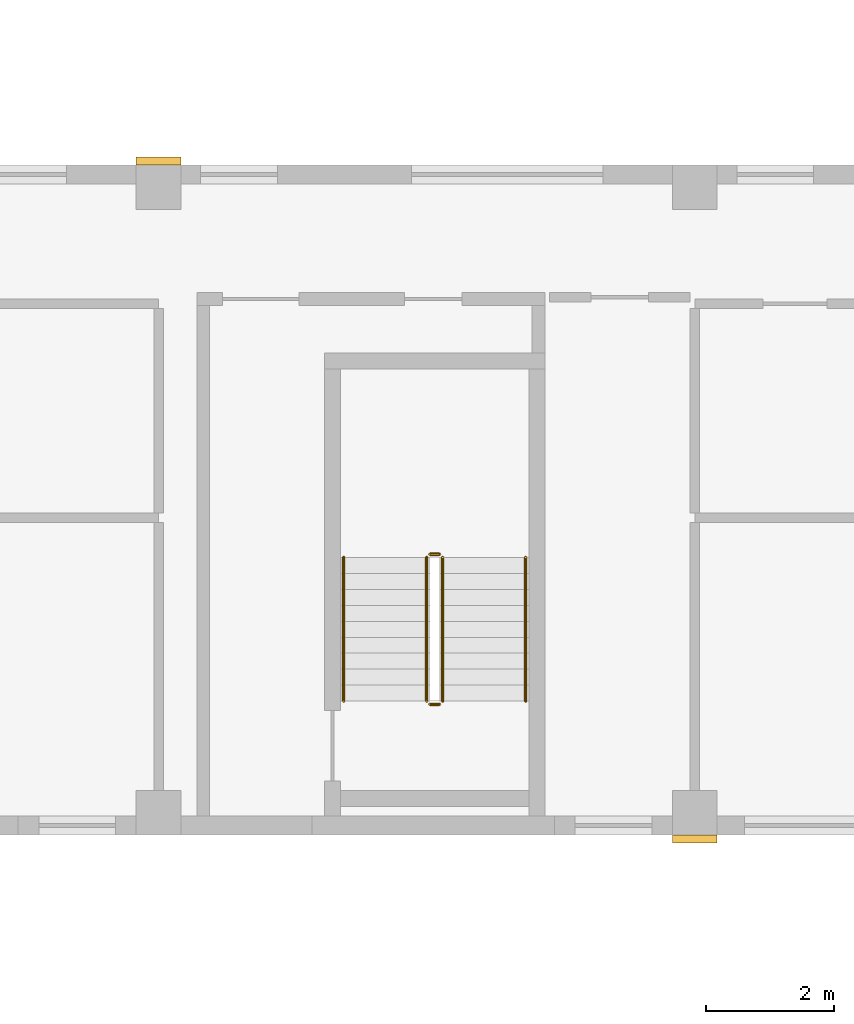
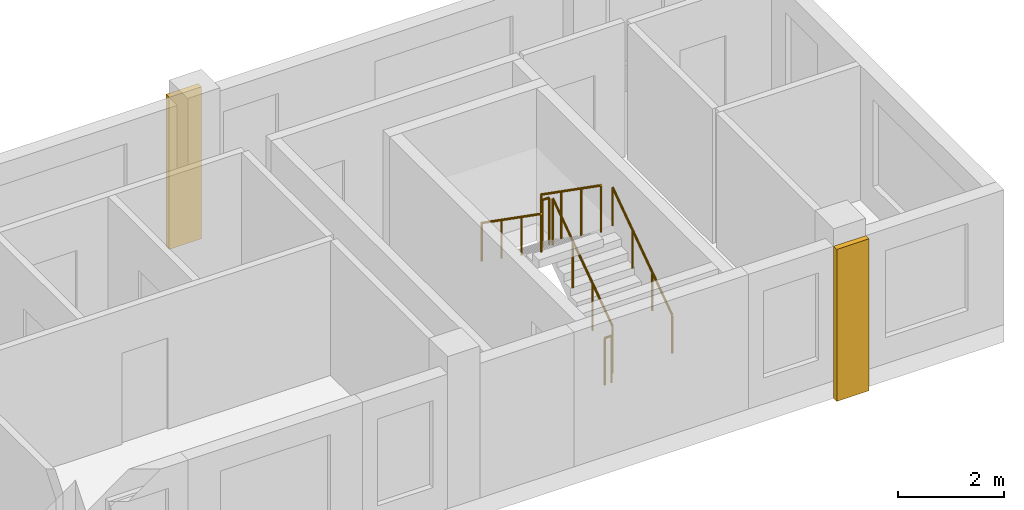
# One storey, part 9 of 10: 6 railings, 2 coverings.
"""IFC4 building model written with IfcOpenShell, lengths in metres."""

import ifcopenshell
import ifcopenshell.guid

model = None  # the IFC model being written
_history = None  # IfcOwnerHistory: only IFC2X3 demands one
_inside = {}  # id of a spatial element -> (the spatial element, [elements in it])
_under = {}  # id of a project, library or spatial element -> (it, [spatial elements below it])
_declared = {}  # id of a project -> (the project, [libraries it declares])
_typed = {}  # id of a type object -> (the type object, [elements of that type])
_made_of = {}  # id of a material, layer set ... -> (it, [elements and type objects made of it])


def new_model(schema):
    """Start an empty IFC model of exactly this schema.

    Asked for "IFC4X3", IfcOpenShell would pick the latest addendum, in which some entities
    have other attributes; the version numbers below select the first issue.
    IFC2X3 requires an IfcOwnerHistory on every rooted entity: one is made here for all.
    """
    global model, _history
    if schema == "IFC4X3":
        model = ifcopenshell.file(schema_version=(4, 3, 0, 0))
    else:
        model = ifcopenshell.file(schema=schema)
    _inside.clear()
    _under.clear()
    _declared.clear()
    _typed.clear()
    _made_of.clear()
    _history = None
    if model.schema == "IFC2X3":
        org = make("IfcOrganization", Name="unknown")
        user = make(
            "IfcPersonAndOrganization",
            ThePerson=make("IfcPerson", FamilyName="unknown"),
            TheOrganization=org,
        )
        app = make(
            "IfcApplication",
            ApplicationDeveloper=org,
            Version="unknown",
            ApplicationFullName="unknown",
            ApplicationIdentifier="unknown",
        )
        _history = make(
            "IfcOwnerHistory",
            OwningUser=user,
            OwningApplication=app,
            ChangeAction="ADDED",
            CreationDate=0,
        )
    return model


def make(cls, **values):
    """One entity of the class cls with the attributes given. An attribute that is None is left unset."""
    return model.create_entity(
        cls, **{name: value for name, value in values.items() if value is not None}
    )


def rooted(cls, **values):
    """An entity with a GlobalId (a new one), such as an element, a storey or a relation."""
    return make(cls, GlobalId=ifcopenshell.guid.new(), OwnerHistory=_history, **values)


def si_unit(unit_type, name, prefix=None):
    """IfcSIUnit, for example si_unit("LENGTHUNIT", "METRE", prefix="MILLI")."""
    return make("IfcSIUnit", UnitType=unit_type, Prefix=prefix, Name=name)


def assignment(units):
    """IfcUnitAssignment: the units of a project."""
    return None if units is None else make("IfcUnitAssignment", Units=units)


def point(xyz):
    """IfcCartesianPoint."""
    return None if xyz is None else make("IfcCartesianPoint", Coordinates=xyz)


def direction(xyz):
    """IfcDirection."""
    return None if xyz is None else make("IfcDirection", DirectionRatios=xyz)


def frame(location, z_axis=None, x_axis=None):
    """IfcAxis2Placement3D, a coordinate frame: its origin and axes. An axis left out is left unset."""
    return make(
        "IfcAxis2Placement3D",
        Location=point(location),
        Axis=direction(z_axis),
        RefDirection=direction(x_axis),
    )


def frame_2d(location, x_axis=None):
    """IfcAxis2Placement2D, a coordinate frame in the plane: its origin and x axis."""
    return make(
        "IfcAxis2Placement2D", Location=point(location), RefDirection=direction(x_axis)
    )


def origin():
    """The frame at (0, 0, 0) with its axes left unset."""
    return frame((0.0, 0.0, 0.0))


def origin_2d():
    """The frame at (0, 0) in the plane with its x axis left unset."""
    return frame_2d((0.0, 0.0))


def place(relative_to, where):
    """IfcLocalPlacement: puts the frame where relative to a parent placement (None: the world)."""
    return make(
        "IfcLocalPlacement", PlacementRelTo=relative_to, RelativePlacement=where
    )


def context(
    kind, dimensions, precision=None, world=None, true_north=None, identifier=None
):
    """IfcGeometricRepresentationContext, for example the 3D "Model" context."""
    return make(
        "IfcGeometricRepresentationContext",
        ContextIdentifier=identifier,
        ContextType=kind,
        CoordinateSpaceDimension=dimensions,
        Precision=precision,
        WorldCoordinateSystem=world,
        TrueNorth=true_north,
    )


def subcontext(parent, identifier, kind, view, scale=None):
    """IfcGeometricRepresentationSubContext, for example "Body" below "Model"."""
    return make(
        "IfcGeometricRepresentationSubContext",
        ContextIdentifier=identifier,
        ContextType=kind,
        ParentContext=parent,
        TargetScale=scale,
        TargetView=view,
    )


def project(units=None, contexts=None):
    """IfcProject with its units and contexts."""
    return rooted(
        "IfcProject",
        Name="project",
        RepresentationContexts=contexts,
        UnitsInContext=assignment(units),
    )


def spatial(cls, under=None, at=None, **own):
    """A site, building, storey or space (cls), placed at a placement, below another one or the project."""
    s = rooted(cls, ObjectPlacement=at, **own)
    if under is not None:
        _under.setdefault(under.id(), (under, []))[1].append(s)
    return s


def profile(cls, at=None, kind="AREA", **sizes):
    """A parametric profile (cls). Its sizes go by their IFC names, for example OverallWidth=200.0."""
    return make(cls, ProfileType=kind, Position=at, **sizes)


def rectangle(**sizes):
    """IfcRectangleProfileDef."""
    return profile("IfcRectangleProfileDef", **sizes)


def circle(**sizes):
    """IfcCircleProfileDef."""
    return profile("IfcCircleProfileDef", **sizes)


def extrude(swept, where, along, depth):
    """IfcExtrudedAreaSolid: the profile swept, set in the frame where, extruded along a direction by depth."""
    return make(
        "IfcExtrudedAreaSolid",
        SweptArea=swept,
        Position=where,
        ExtrudedDirection=direction(along),
        Depth=depth,
    )


def shape(context_of_items, identifier, shape_type, items):
    """IfcShapeRepresentation: the items that make up one representation, for example the "Body"."""
    return make(
        "IfcShapeRepresentation",
        ContextOfItems=context_of_items,
        RepresentationIdentifier=identifier,
        RepresentationType=shape_type,
        Items=items,
    )


def source(mapping_origin, context_of_items, identifier, shape_type, items):
    """IfcRepresentationMap: a shape defined once, which mapped items show again and again."""
    return make(
        "IfcRepresentationMap",
        MappingOrigin=mapping_origin,
        MappedRepresentation=shape(context_of_items, identifier, shape_type, items),
    )


def transform(
    local_origin,
    x_axis=None,
    y_axis=None,
    z_axis=None,
    scale=None,
    scale2=None,
    scale3=None,
    uniform=True,
):
    """IfcCartesianTransformationOperator3D, or its non-uniform kind. x_axis, y_axis, z_axis: its Axis1, 2, 3."""
    if uniform:
        return make(
            "IfcCartesianTransformationOperator3D",
            Axis1=direction(x_axis),
            Axis2=direction(y_axis),
            LocalOrigin=point(local_origin),
            Scale=scale,
            Axis3=direction(z_axis),
        )
    return make(
        "IfcCartesianTransformationOperator3DnonUniform",
        Axis1=direction(x_axis),
        Axis2=direction(y_axis),
        LocalOrigin=point(local_origin),
        Scale=scale,
        Axis3=direction(z_axis),
        Scale2=scale2,
        Scale3=scale3,
    )


def mapped(mapping_source, mapping_target):
    """IfcMappedItem: shows the shape of a source again, moved by a transform."""
    return make(
        "IfcMappedItem", MappingSource=mapping_source, MappingTarget=mapping_target
    )


def material(Name=None, Category=None):
    """IfcMaterial."""
    return make("IfcMaterial", Name=Name, Category=Category)


def made_of(thing, what):
    """Note that an element or type object is made of a material, layer set ...; save() writes the relation."""
    if what is not None:
        _made_of.setdefault(what.id(), (what, []))[1].append(thing)
    return thing


def type_object(cls, material=None, **own):
    """A type object (cls), such as IfcWallType, which elements share."""
    return made_of(rooted(cls, **own), material)


def element(
    cls,
    number,
    at=None,
    inside=None,
    cuts=None,
    type_object=None,
    material=None,
    context=None,
    identifier="Body",
    shape_type=None,
    held_by="IfcProductDefinitionShape",
    body=None,
    shapes=None,
    **own,
):
    """One element of the class cls, such as IfcWall. Its Tag is "e" and its number.

    at: its placement. inside: the storey or other place that contains it. cuts: it is an
    opening in that element (IfcRelVoidsElement). A single representation is given by context,
    identifier, shape_type and body (its items); several are given by shapes. held_by: the class
    of the entity that holds the representations. save() writes the other relations.
    """
    e = rooted(cls, Tag="e%d" % number, ObjectPlacement=at, **own)
    if body is not None:
        shapes = [shape(context, identifier, shape_type, body)]
    if shapes is not None:
        e.Representation = make(held_by, Representations=shapes)
    if inside is not None:
        _inside.setdefault(inside.id(), (inside, []))[1].append(e)
    if cuts is not None:
        rooted(
            "IfcRelVoidsElement", RelatingBuildingElement=cuts, RelatedOpeningElement=e
        )
    if type_object is not None:
        _typed.setdefault(type_object.id(), (type_object, []))[1].append(e)
    return made_of(e, material)


def aggregate(whole, parts):
    """IfcRelAggregates: a whole, such as a stair, and the parts it consists of."""
    return rooted("IfcRelAggregates", RelatingObject=whole, RelatedObjects=parts)


def save(model, path):
    """Write the relations noted so far, then the file.

    IfcRelAggregates (storeys below a building ...), IfcRelContainedInSpatialStructure (elements
    in a storey), IfcRelDefinesByType, IfcRelAssociatesMaterial and IfcRelDeclares: one each for
    every whole, place, type object, material and project.
    """
    for whole, parts in _under.values():
        aggregate(whole, parts)
    for where, things in _inside.values():
        rooted(
            "IfcRelContainedInSpatialStructure",
            RelatedElements=things,
            RelatingStructure=where,
        )
    for kind, things in _typed.values():
        rooted("IfcRelDefinesByType", RelatedObjects=things, RelatingType=kind)
    for what, things in _made_of.values():
        rooted("IfcRelAssociatesMaterial", RelatedObjects=things, RelatingMaterial=what)
    for by, libraries in _declared.values():
        rooted("IfcRelDeclares", RelatingContext=by, RelatedDefinitions=libraries)
    model.write(path)


model = new_model("IFC4")

# Units and contexts
model_context = context("Model", 3, precision=1e-05, world=origin(), true_north=direction((0.0, 1.0)))
body_context = subcontext(model_context, "Body", "Model", "MODEL_VIEW")
ifc_project = project(units=[si_unit("LENGTHUNIT", "METRE"), si_unit("AREAUNIT", "SQUARE_METRE"), si_unit("VOLUMEUNIT", "CUBIC_METRE"), si_unit("PLANEANGLEUNIT", "RADIAN"), si_unit("MASSUNIT", "GRAM", prefix="KILO")], contexts=[model_context])

# Site, building, storey
site_placement = place(None, origin())
site = spatial("IfcSite", under=ifc_project, at=site_placement, CompositionType="ELEMENT")
building_placement = place(site_placement, origin())
building = spatial("IfcBuilding", under=site, at=building_placement, Name="Aurelian Terraces", CompositionType="ELEMENT")
storey_placement = place(building_placement, frame((0.0, 0.0, 288.0)))
storey = spatial("IfcBuildingStorey", under=building, at=storey_placement, Name="L65", CompositionType="ELEMENT", Elevation=288.0)

# Coverings
ifc_material_1 = material(Name="Terracotta rainscreen cladding relief", Category="masonry")
covering_type = type_object("IfcCoveringType", Name="BAGUETTE-TC", PredefinedType="CLADDING", material=ifc_material_1)
shared_shape_1 = source(origin(), body_context, "Body", "SweptSolid", [
    extrude(rectangle(XDim=0.7, YDim=0.12, at=origin_2d()), origin(), (0.0, 0.0, 1.0), 3.5),
])
for number, where, z_axis, x_axis, name in (
    (1, (46.2, -0.06, -0.4), (0.0, 0.0, 1.0), (1.0, 0.0, 0.0), "BAGUETTE pier L65 3"),
    (2, (37.8, 10.56, -0.4), (0.0, 0.0, 1.0), (1.0, 0.0, 0.0), "BAGUETTE pier L65 4"),
):
    element("IfcCovering", number, at=place(storey_placement, frame(where, z_axis=z_axis, x_axis=x_axis)), inside=storey, type_object=covering_type, Name=name, PredefinedType="CLADDING", context=body_context, shape_type="MappedRepresentation", body=[
        mapped(shared_shape_1, transform((0.0, 0.0, 0.0), scale=1.0)),
    ])

# Railings
ifc_material_2 = material(Name="Stainless steel", Category="steel")
railing_type_1 = type_object("IfcRailingType", Name="Stair guard 1100", PredefinedType="GUARDRAIL", material=ifc_material_2)
shared_shape_2 = source(origin(), body_context, "Body", "SweptSolid", [
    extrude(circle(Radius=0.024, at=origin_2d()), frame((0.0, 0.0, 1.076), z_axis=(-1.0, 0.0, 0.0), x_axis=(0.0, -1.0, 0.0)), (0.0, 0.0, 1.0), 0.15),
    extrude(circle(Radius=0.021, at=origin_2d()), origin(), (0.0, 0.0, 1.0), 1.052),
    extrude(circle(Radius=0.021, at=origin_2d()), frame((-0.15, 0.0, 0.0)), (0.0, 0.0, 1.0), 1.052),
])
for number, where, name in (
    (3, (42.2, 4.4, 1.75), "L65 S2 stair guard 2"),
    (4, (42.2, 2.05, 0.0), "L65 S2 stair guard 4"),
):
    element("IfcRailing", number, at=place(storey_placement, frame(where)), inside=storey, type_object=railing_type_1, Name=name, PredefinedType="GUARDRAIL", context=body_context, shape_type="MappedRepresentation", body=[
        mapped(shared_shape_2, transform((0.0, 0.0, 0.0), scale=1.0)),
    ])
shared_shape_3 = source(origin(), body_context, "Body", "SweptSolid", [
    extrude(circle(Radius=0.024, at=origin_2d()), frame((0.0, 0.0, 1.076), z_axis=(0.0, 0.819231920519, 0.573462344363), x_axis=(-1.0, 0.0, 0.0)), (0.0, 0.0, 1.0), 2.7465),
    extrude(circle(Radius=0.021, at=origin_2d()), origin(), (0.0, 0.0, 1.0), 1.052),
    extrude(circle(Radius=0.021, at=origin_2d()), frame((0.0, 0.75, 0.525)), (0.0, 0.0, 1.0), 1.052),
    extrude(circle(Radius=0.021, at=origin_2d()), frame((0.0, 1.5, 1.05)), (0.0, 0.0, 1.0), 1.052),
    extrude(circle(Radius=0.021, at=origin_2d()), frame((0.0, 2.25, 1.575)), (0.0, 0.0, 1.0), 1.052),
])
railing_1_placement = place(storey_placement, frame((42.25, 2.1, 0.175)))
element("IfcRailing", 5, at=railing_1_placement, inside=storey, type_object=railing_type_1, Name="L65 S2 stair guard 1", PredefinedType="GUARDRAIL", context=body_context, shape_type="MappedRepresentation", body=[
    mapped(shared_shape_3, transform((0.0, 0.0, 0.0), scale=1.0)),
])
shared_shape_4 = source(origin(), body_context, "Body", "SweptSolid", [
    extrude(circle(Radius=0.024, at=origin_2d()), frame((0.0, 0.0, 1.076), z_axis=(0.0, -0.819231920519, 0.573462344363), x_axis=(1.0, 0.0, 0.0)), (0.0, 0.0, 1.0), 2.7465),
    extrude(circle(Radius=0.021, at=origin_2d()), origin(), (0.0, 0.0, 1.0), 1.052),
    extrude(circle(Radius=0.021, at=origin_2d()), frame((0.0, -0.75, 0.525)), (0.0, 0.0, 1.0), 1.052),
    extrude(circle(Radius=0.021, at=origin_2d()), frame((0.0, -1.5, 1.05)), (0.0, 0.0, 1.0), 1.052),
    extrude(circle(Radius=0.021, at=origin_2d()), frame((0.0, -2.25, 1.575)), (0.0, 0.0, 1.0), 1.052),
])
railing_2_placement = place(storey_placement, frame((42.0, 4.35, 1.925)))
element("IfcRailing", 6, at=railing_2_placement, inside=storey, type_object=railing_type_1, Name="L65 S2 stair guard 3", PredefinedType="GUARDRAIL", context=body_context, shape_type="MappedRepresentation", body=[
    mapped(shared_shape_4, transform((0.0, 0.0, 0.0), scale=1.0)),
])
railing_type_2 = type_object("IfcRailingType", Name="Stair handrail", PredefinedType="HANDRAIL", material=ifc_material_2)
shared_shape_5 = source(origin(), body_context, "Body", "SweptSolid", [
    extrude(circle(Radius=0.024, at=origin_2d()), frame((0.0, 0.0, 0.876), z_axis=(0.0, 0.819231920519, 0.573462344363), x_axis=(-1.0, 0.0, 0.0)), (0.0, 0.0, 1.0), 2.7465),
    extrude(circle(Radius=0.021, at=origin_2d()), origin(), (0.0, 0.0, 1.0), 0.852),
    extrude(circle(Radius=0.021, at=origin_2d()), frame((0.0, 0.75, 0.525)), (0.0, 0.0, 1.0), 0.852),
    extrude(circle(Radius=0.021, at=origin_2d()), frame((0.0, 1.5, 1.05)), (0.0, 0.0, 1.0), 0.852),
    extrude(circle(Radius=0.021, at=origin_2d()), frame((0.0, 2.25, 1.575)), (0.0, 0.0, 1.0), 0.852),
])
railing_3_placement = place(storey_placement, frame((43.55, 2.1, 0.175)))
element("IfcRailing", 7, at=railing_3_placement, inside=storey, type_object=railing_type_2, Name="L65 S2 stair handrail 1", PredefinedType="HANDRAIL", context=body_context, shape_type="MappedRepresentation", body=[
    mapped(shared_shape_5, transform((0.0, 0.0, 0.0), scale=1.0)),
])
shared_shape_6 = source(origin(), body_context, "Body", "SweptSolid", [
    extrude(circle(Radius=0.024, at=origin_2d()), frame((0.0, 0.0, 0.876), z_axis=(0.0, -0.819231920519, 0.573462344363), x_axis=(1.0, 0.0, 0.0)), (0.0, 0.0, 1.0), 2.7465),
    extrude(circle(Radius=0.021, at=origin_2d()), origin(), (0.0, 0.0, 1.0), 0.852),
    extrude(circle(Radius=0.021, at=origin_2d()), frame((0.0, -0.75, 0.525)), (0.0, 0.0, 1.0), 0.852),
    extrude(circle(Radius=0.021, at=origin_2d()), frame((0.0, -1.5, 1.05)), (0.0, 0.0, 1.0), 0.852),
    extrude(circle(Radius=0.021, at=origin_2d()), frame((0.0, -2.25, 1.575)), (0.0, 0.0, 1.0), 0.852),
])
railing_4_placement = place(storey_placement, frame((40.7, 4.35, 1.925)))
element("IfcRailing", 8, at=railing_4_placement, inside=storey, type_object=railing_type_2, Name="L65 S2 stair handrail 2", PredefinedType="HANDRAIL", context=body_context, shape_type="MappedRepresentation", body=[
    mapped(shared_shape_6, transform((0.0, 0.0, 0.0), scale=1.0)),
])

save(model, "model.ifc")
